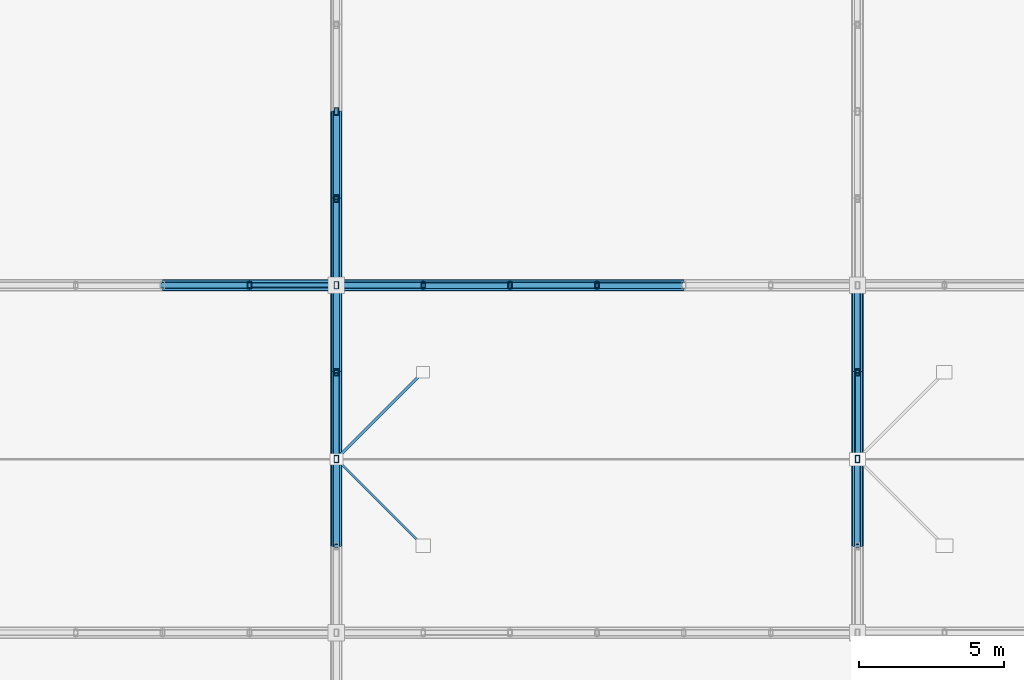
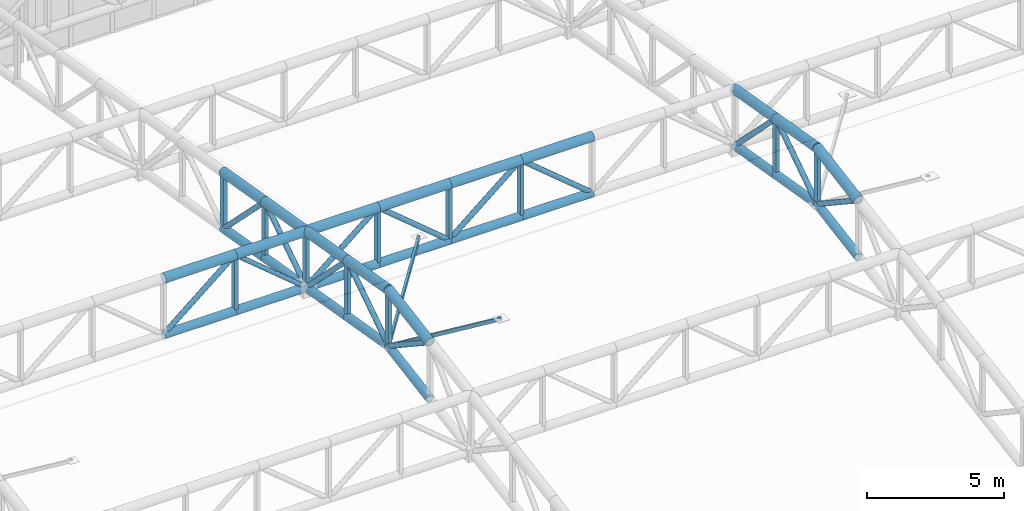
# One storey, part 93 of 239: 55 members.
"""IFC4 building model written with IfcOpenShell, lengths in metres."""

from ifc_helpers import new_model, si_unit, direction, frame, origin, origin_2d, place, context, subcontext, project, spatial, hollow_rectangle, hollow_circle, extrude, material, material_profile, profile_set, type_object, element, save


model = new_model("IFC4")

# Units and contexts
model_context = context("Model", 3, precision=1e-05, world=origin(), true_north=direction((0.0, 1.0)))
body_context = subcontext(model_context, "Body", "Model", "MODEL_VIEW")
ifc_project = project(units=[si_unit("LENGTHUNIT", "METRE"), si_unit("AREAUNIT", "SQUARE_METRE"), si_unit("VOLUMEUNIT", "CUBIC_METRE"), si_unit("PLANEANGLEUNIT", "RADIAN"), si_unit("MASSUNIT", "GRAM", prefix="KILO")], contexts=[model_context])

# Site, building, storey
site_placement = place(None, origin())
site = spatial("IfcSite", under=ifc_project, at=site_placement, CompositionType="ELEMENT")
building_placement = place(site_placement, origin())
building = spatial("IfcBuilding", under=site, at=building_placement, Name="Kaldris Quays Convention Centre", CompositionType="ELEMENT")
storey_placement = place(building_placement, frame((0.0, 0.0, 11.39990234375)))
storey = spatial("IfcBuildingStorey", under=building, at=storey_placement, Name="L02", CompositionType="ELEMENT", Elevation=11.39990234375)

# Members
ifc_material = material(Name="Steel S355J2H", Category="steel")
ifc_material_profile_1 = material_profile(ifc_material, hollow_circle(Radius=0.203125, WallThickness=0.01611328125, at=origin_2d()), Name="CHS 406.4x16")
ifc_profile_set_1 = profile_set([ifc_material_profile_1], Name="Steel S355J2H")
member_type_1 = type_object("IfcMemberType", Name="STRUCTURAL MEMBER SC01", PredefinedType="CHORD", material=ifc_profile_set_1)
for number, where, z_axis, x_axis, name in (
    (1, (50.0, 104.0, 15.84326171875), (1.0, 0.0, 0.0), (0.0, 1.0, 0.0), "SF-V1 Top Chord X 179"),
    (2, (53.0, 104.0, 15.84326171875), (1.0, 0.0, 0.0), (0.0, 1.0, 0.0), "SF-V1 Top Chord X 180"),
    (3, (56.0, 104.0, 15.84326171875), (1.0, 0.0, 0.0), (0.0, 1.0, 0.0), "SF-V1 Top Chord X 181"),
    (4, (59.0, 104.0, 15.84326171875), (1.0, 0.0, 0.0), (0.0, 1.0, 0.0), "SF-V1 Top Chord X 182"),
    (5, (62.0, 104.0, 15.84326171875), (1.0, 0.0, 0.0), (0.0, 1.0, 0.0), "SF-V1 Top Chord X 183"),
    (6, (65.0, 104.0, 15.84326171875), (1.0, 0.0, 0.0), (0.0, 1.0, 0.0), "SF-V1 Top Chord X 184"),
):
    element("IfcMember", number, at=place(storey_placement, frame(where, z_axis=z_axis, x_axis=x_axis)), inside=storey, type_object=member_type_1, Name=name, PredefinedType="CHORD", context=body_context, shape_type="SweptSolid", body=[
        extrude(hollow_circle(Radius=0.203125, WallThickness=0.01611328125, at=origin_2d()), origin(), (0.0, 0.0, 1.0), 3.0),
    ])
for number, where, z_axis, x_axis, name in (
    (7, (56.0, 95.0, 16.357666015625), (0.0, 0.98562912375, 0.168923741424), (-1.0, 0.0, 0.0), "SF-V1 Top Chord Y 406"),
    (8, (56.0, 98.0, 16.871826171875), (0.0, 0.98562912375, -0.168923741424), (-1.0, 0.0, 0.0), "SF-V1 Top Chord Y 407"),
    (9, (56.0, 101.0, 16.357666015625), (0.0, 0.985615766076, -0.169001661712), (-1.0, 0.0, 0.0), "SF-V1 Top Chord Y 408"),
    (10, (56.0, 104.0, 15.84326171875), (0.0, 0.98562912375, -0.168923741424), (-1.0, 0.0, 0.0), "SF-V1 Top Chord Y 409"),
    (11, (56.0, 107.0, 15.3291015625), (0.0, 0.985615766076, -0.169001661712), (-1.0, 0.0, 0.0), "SF-V1 Top Chord Y 410"),
    (12, (74.0, 95.0, 16.357666015625), (0.0, 0.98562912375, 0.168923741424), (-1.0, 0.0, 0.0), "SF-V1 Top Chord Y 434"),
    (13, (74.0, 98.0, 16.871826171875), (0.0, 0.98562912375, -0.168923741424), (-1.0, 0.0, 0.0), "SF-V1 Top Chord Y 435"),
    (14, (74.0, 101.0, 16.357666015625), (0.0, 0.985615766076, -0.169001661712), (-1.0, 0.0, 0.0), "SF-V1 Top Chord Y 436"),
):
    element("IfcMember", number, at=place(storey_placement, frame(where, z_axis=z_axis, x_axis=x_axis)), inside=storey, type_object=member_type_1, Name=name, PredefinedType="CHORD", context=body_context, shape_type="SweptSolid", body=[
        extrude(hollow_circle(Radius=0.203125, WallThickness=0.01611328125, at=origin_2d()), origin(), (0.0, 0.0, 1.0), 3.043701171875),
    ])
ifc_material_profile_2 = material_profile(ifc_material, hollow_circle(Radius=0.177734375, WallThickness=0.01611328125, at=origin_2d()), Name="CHS 355.6x16")
ifc_profile_set_2 = profile_set([ifc_material_profile_2], Name="Steel S355J2H")
member_type_2 = type_object("IfcMemberType", Name="STRUCTURAL MEMBER SC02", PredefinedType="CHORD", material=ifc_profile_set_2)
for number, where, z_axis, x_axis, name in (
    (15, (50.0, 104.0, 13.34326171875), (1.0, 0.0, 0.0), (0.0, 1.0, 0.0), "SF-V1 Bottom Chord X 179"),
    (16, (53.0, 104.0, 13.34326171875), (1.0, 0.0, 0.0), (0.0, 1.0, 0.0), "SF-V1 Bottom Chord X 180"),
    (17, (56.0, 104.0, 13.34326171875), (1.0, 0.0, 0.0), (0.0, 1.0, 0.0), "SF-V1 Bottom Chord X 181"),
    (18, (59.0, 104.0, 13.34326171875), (1.0, 0.0, 0.0), (0.0, 1.0, 0.0), "SF-V1 Bottom Chord X 182"),
    (19, (62.0, 104.0, 13.34326171875), (1.0, 0.0, 0.0), (0.0, 1.0, 0.0), "SF-V1 Bottom Chord X 183"),
    (20, (65.0, 104.0, 13.34326171875), (1.0, 0.0, 0.0), (0.0, 1.0, 0.0), "SF-V1 Bottom Chord X 184"),
):
    element("IfcMember", number, at=place(storey_placement, frame(where, z_axis=z_axis, x_axis=x_axis)), inside=storey, type_object=member_type_2, Name=name, PredefinedType="CHORD", context=body_context, shape_type="SweptSolid", body=[
        extrude(hollow_circle(Radius=0.177734375, WallThickness=0.01611328125, at=origin_2d()), origin(), (0.0, 0.0, 1.0), 3.0),
    ])
for number, where, z_axis, x_axis, name in (
    (21, (56.0, 95.0, 13.857666015625), (0.0, 0.98562912375, 0.168923741424), (-1.0, 0.0, 0.0), "SF-V1 Bottom Chord Y 406"),
    (22, (56.0, 98.0, 14.371826171875), (0.0, 0.98562912375, -0.168923741424), (-1.0, 0.0, 0.0), "SF-V1 Bottom Chord Y 407"),
    (23, (56.0, 101.0, 13.857666015625), (0.0, 0.985615766076, -0.169001661712), (-1.0, 0.0, 0.0), "SF-V1 Bottom Chord Y 408"),
    (24, (56.0, 104.0, 13.34326171875), (0.0, 0.98562912375, -0.168923741424), (-1.0, 0.0, 0.0), "SF-V1 Bottom Chord Y 409"),
    (25, (56.0, 107.0, 12.8291015625), (0.0, 0.985615766076, -0.169001661712), (-1.0, 0.0, 0.0), "SF-V1 Bottom Chord Y 410"),
    (26, (74.0, 95.0, 13.857666015625), (0.0, 0.98562912375, 0.168923741424), (-1.0, 0.0, 0.0), "SF-V1 Bottom Chord Y 434"),
    (27, (74.0, 98.0, 14.371826171875), (0.0, 0.98562912375, -0.168923741424), (-1.0, 0.0, 0.0), "SF-V1 Bottom Chord Y 435"),
    (28, (74.0, 101.0, 13.857666015625), (0.0, 0.985615766076, -0.169001661712), (-1.0, 0.0, 0.0), "SF-V1 Bottom Chord Y 436"),
):
    element("IfcMember", number, at=place(storey_placement, frame(where, z_axis=z_axis, x_axis=x_axis)), inside=storey, type_object=member_type_2, Name=name, PredefinedType="CHORD", context=body_context, shape_type="SweptSolid", body=[
        extrude(hollow_circle(Radius=0.177734375, WallThickness=0.01611328125, at=origin_2d()), origin(), (0.0, 0.0, 1.0), 3.043701171875),
    ])
ifc_material_profile_3 = material_profile(ifc_material, hollow_circle(Radius=0.109619140625, WallThickness=0.010009765625, at=origin_2d()), Name="CHS 219.1x10")
ifc_profile_set_3 = profile_set([ifc_material_profile_3], Name="Steel S355J2H")
member_type_3 = type_object("IfcMemberType", Name="STRUCTURAL MEMBER SWB1", PredefinedType="BRACE", material=ifc_profile_set_3)
for number, where, z_axis, x_axis, name in (
    (29, (50.0, 104.0, 13.34326171875), (0.768221279597, 0.0, 0.640184399664), (0.0, 1.0, 0.0), "SF-V1 Web Diagonal X 179"),
    (30, (56.0, 104.0, 13.34326171875), (0.768221279597, 0.0, 0.640184399664), (0.0, 1.0, 0.0), "SF-V1 Web Diagonal X 181"),
    (31, (62.0, 104.0, 13.34326171875), (-0.768221279597, 0.0, 0.640184399664), (0.0, -1.0, 0.0), "SF-V1 Web Diagonal X 182"),
    (32, (62.0, 104.0, 13.34326171875), (0.768221279597, 0.0, 0.640184399664), (0.0, 1.0, 0.0), "SF-V1 Web Diagonal X 183"),
    (33, (68.0, 104.0, 13.34326171875), (-0.768221279597, 0.0, 0.640184399664), (0.0, -1.0, 0.0), "SF-V1 Web Diagonal X 184"),
):
    element("IfcMember", number, at=place(storey_placement, frame(where, z_axis=z_axis, x_axis=x_axis)), inside=storey, type_object=member_type_3, Name=name, PredefinedType="BRACE", context=body_context, shape_type="SweptSolid", body=[
        extrude(hollow_circle(Radius=0.109619140625, WallThickness=0.010009765625, at=origin_2d()), origin(), (0.0, 0.0, 1.0), 3.905029296875),
    ])
for number, where, z_axis, x_axis, name in (
    (34, (56.0, 98.0, 14.371826171875), (0.0, -0.833862389808, 0.551972385962), (1.0, 0.0, 0.0), "SF-V1 Web Diagonal Y 406"),
    (35, (56.0, 98.0, 14.371826171875), (0.0, 0.833862389808, 0.551972385962), (-1.0, 0.0, 0.0), "SF-V1 Web Diagonal Y 407"),
):
    element("IfcMember", number, at=place(storey_placement, frame(where, z_axis=z_axis, x_axis=x_axis)), inside=storey, type_object=member_type_3, Name=name, PredefinedType="BRACE", context=body_context, shape_type="SweptSolid", body=[
        extrude(hollow_circle(Radius=0.109619140625, WallThickness=0.010009765625, at=origin_2d()), origin(), (0.0, 0.0, 1.0), 3.59765625),
    ])
member_1_placement = place(storey_placement, frame((56.0, 104.0, 13.34326171875), z_axis=(0.0, -0.705411261057, 0.708798245465), x_axis=(1.0, 0.0, 0.0)))
element("IfcMember", 36, at=member_1_placement, inside=storey, type_object=member_type_3, Name="SF-V1 Web Diagonal Y 408", PredefinedType="BRACE", context=body_context, shape_type="SweptSolid", body=[
    extrude(hollow_circle(Radius=0.109619140625, WallThickness=0.010009765625, at=origin_2d()), origin(), (0.0, 0.0, 1.0), 4.2529296875),
])
member_2_placement = place(storey_placement, frame((56.0, 104.0, 13.34326171875), z_axis=(0.0, 0.833862389808, 0.551972385962), x_axis=(-1.0, 0.0, 0.0)))
element("IfcMember", 37, at=member_2_placement, inside=storey, type_object=member_type_3, Name="SF-V1 Web Diagonal Y 409", PredefinedType="BRACE", context=body_context, shape_type="SweptSolid", body=[
    extrude(hollow_circle(Radius=0.109619140625, WallThickness=0.010009765625, at=origin_2d()), origin(), (0.0, 0.0, 1.0), 3.59765625),
])
member_3_placement = place(storey_placement, frame((56.0, 110.0, 12.314697265625), z_axis=(0.0, -0.705411261057, 0.708798245465), x_axis=(1.0, 0.0, 0.0)))
element("IfcMember", 38, at=member_3_placement, inside=storey, type_object=member_type_3, Name="SF-V1 Web Diagonal Y 410", PredefinedType="BRACE", context=body_context, shape_type="SweptSolid", body=[
    extrude(hollow_circle(Radius=0.109619140625, WallThickness=0.010009765625, at=origin_2d()), origin(), (0.0, 0.0, 1.0), 4.2529296875),
])
for number, where, z_axis, x_axis, name in (
    (39, (74.0, 98.0, 14.371826171875), (0.0, -0.833862389808, 0.551972385962), (1.0, 0.0, 0.0), "SF-V1 Web Diagonal Y 434"),
    (40, (74.0, 98.0, 14.371826171875), (0.0, 0.833862389808, 0.551972385962), (-1.0, 0.0, 0.0), "SF-V1 Web Diagonal Y 435"),
):
    element("IfcMember", number, at=place(storey_placement, frame(where, z_axis=z_axis, x_axis=x_axis)), inside=storey, type_object=member_type_3, Name=name, PredefinedType="BRACE", context=body_context, shape_type="SweptSolid", body=[
        extrude(hollow_circle(Radius=0.109619140625, WallThickness=0.010009765625, at=origin_2d()), origin(), (0.0, 0.0, 1.0), 3.59765625),
    ])
member_4_placement = place(storey_placement, frame((74.0, 104.0, 13.34326171875), z_axis=(0.0, -0.705411261057, 0.708798245465), x_axis=(1.0, 0.0, 0.0)))
element("IfcMember", 41, at=member_4_placement, inside=storey, type_object=member_type_3, Name="SF-V1 Web Diagonal Y 436", PredefinedType="BRACE", context=body_context, shape_type="SweptSolid", body=[
    extrude(hollow_circle(Radius=0.109619140625, WallThickness=0.010009765625, at=origin_2d()), origin(), (0.0, 0.0, 1.0), 4.2529296875),
])
ifc_material_profile_4 = material_profile(ifc_material, hollow_circle(Radius=0.096923828125, WallThickness=0.008056640625, at=origin_2d()), Name="CHS 193.7x8")
ifc_profile_set_4 = profile_set([ifc_material_profile_4], Name="Steel S355J2H")
member_type_4 = type_object("IfcMemberType", Name="STRUCTURAL MEMBER SWB3", PredefinedType="BRACE", material=ifc_profile_set_4)
member_5_placement = place(storey_placement, frame((56.0, 104.0, 13.34326171875), z_axis=(-0.768221279597, 0.0, 0.640184399664), x_axis=(0.0, -1.0, 0.0)))
element("IfcMember", 42, at=member_5_placement, inside=storey, type_object=member_type_4, Name="SF-V1 Web Diagonal X 180", PredefinedType="BRACE", context=body_context, shape_type="SweptSolid", body=[
    extrude(hollow_circle(Radius=0.096923828125, WallThickness=0.008056640625, at=origin_2d()), origin(), (0.0, 0.0, 1.0), 3.905029296875),
])
ifc_material_profile_5 = material_profile(ifc_material, hollow_rectangle(XDim=0.14990234375, YDim=0.25, WallThickness=0.010009765625, at=origin_2d()), Name="RHS 250x150x10")
ifc_profile_set_5 = profile_set([ifc_material_profile_5], Name="Steel S355J2H")
member_type_5 = type_object("IfcMemberType", Name="STRUCTURAL MEMBER TTV1", PredefinedType="POST", material=ifc_profile_set_5)
for number, where, z_axis, x_axis, name in (
    (43, (53.0, 104.0, 13.34326171875), (0.0, 0.0, 1.0), (1.0, 0.0, 0.0), "SF-V1 Space-Frame Post 135"),
    (44, (56.0, 98.0, 14.371826171875), (0.0, 0.0, 1.0), (1.0, 0.0, 0.0), "SF-V1 Space-Frame Post 153"),
    (45, (56.0, 101.0, 13.857666015625), (0.0, 0.0, 1.0), (1.0, 0.0, 0.0), "SF-V1 Space-Frame Post 154"),
    (46, (56.0, 104.0, 13.34326171875), (0.0, 0.0, 1.0), (1.0, 0.0, 0.0), "SF-V1 Space-Frame Post 155"),
    (47, (56.0, 107.0, 12.8291015625), (0.0, 0.0, 1.0), (1.0, 0.0, 0.0), "SF-V1 Space-Frame Post 156"),
    (48, (56.0, 110.0, 12.314697265625), (0.0, 0.0, 1.0), (1.0, 0.0, 0.0), "SF-V1 Space-Frame Post 157"),
    (49, (59.0, 104.0, 13.34326171875), (0.0, 0.0, 1.0), (1.0, 0.0, 0.0), "SF-V1 Space-Frame Post 172"),
    (50, (62.0, 104.0, 13.34326171875), (0.0, 0.0, 1.0), (1.0, 0.0, 0.0), "SF-V1 Space-Frame Post 180"),
    (51, (65.0, 104.0, 13.34326171875), (0.0, 0.0, 1.0), (1.0, 0.0, 0.0), "SF-V1 Space-Frame Post 188"),
    (52, (74.0, 98.0, 14.371826171875), (0.0, 0.0, 1.0), (1.0, 0.0, 0.0), "SF-V1 Space-Frame Post 222"),
    (53, (74.0, 101.0, 13.857666015625), (0.0, 0.0, 1.0), (1.0, 0.0, 0.0), "SF-V1 Space-Frame Post 223"),
):
    element("IfcMember", number, at=place(storey_placement, frame(where, z_axis=z_axis, x_axis=x_axis)), inside=storey, type_object=member_type_5, Name=name, PredefinedType="POST", context=body_context, shape_type="SweptSolid", body=[
        extrude(hollow_rectangle(XDim=0.14990234375, YDim=0.25, WallThickness=0.010009765625, at=origin_2d()), origin(), (0.0, 0.0, 1.0), 2.5),
    ])
ifc_material_profile_6 = material_profile(ifc_material, hollow_rectangle(XDim=0.10009765625, YDim=0.199951171875, WallThickness=0.008056640625, at=origin_2d()), Name="RHS 200x100x8")
ifc_profile_set_6 = profile_set([ifc_material_profile_6], Name="Steel S355J2H")
member_type_6 = type_object("IfcMemberType", Name="STRUCTURAL MEMBER WS01", PredefinedType="STRUT", material=ifc_profile_set_6)
member_6_placement = place(storey_placement, frame((56.0, 98.0, 14.371826171875), z_axis=(0.640424167839, 0.640424167839, 0.423926609798), x_axis=(-0.707106781187, 0.707106781187, 0.0)))
element("IfcMember", 54, at=member_6_placement, inside=storey, type_object=member_type_6, Name="SF-V1 Interior Space-Frame Plan Diagonal Strut 3", PredefinedType="STRUT", context=body_context, shape_type="SweptSolid", body=[
    extrude(hollow_rectangle(XDim=0.10009765625, YDim=0.199951171875, WallThickness=0.008056640625, at=origin_2d()), origin(), (0.0, 0.0, 1.0), 4.684326171875),
])
ifc_material_profile_7 = material_profile(ifc_material, hollow_rectangle(XDim=0.080078125, YDim=0.159912109375, WallThickness=0.00634765625, at=origin_2d()), Name="RHS 160x80x6.3")
ifc_profile_set_7 = profile_set([ifc_material_profile_7], Name="Steel S355J2H")
member_type_7 = type_object("IfcMemberType", Name="STRUCTURAL MEMBER WS02", PredefinedType="STRUT", material=ifc_profile_set_7)
member_7_placement = place(storey_placement, frame((56.0, 98.0, 14.371826171875), z_axis=(0.640424167839, -0.640424167839, 0.423926609798), x_axis=(0.707106781187, 0.707106781187, 0.0)))
element("IfcMember", 55, at=member_7_placement, inside=storey, type_object=member_type_7, Name="SF-V1 Interior Space-Frame Plan Diagonal Strut 4", PredefinedType="STRUT", context=body_context, shape_type="SweptSolid", body=[
    extrude(hollow_rectangle(XDim=0.080078125, YDim=0.159912109375, WallThickness=0.00634765625, at=origin_2d()), origin(), (0.0, 0.0, 1.0), 4.684326171875),
])

save(model, "model.ifc")
